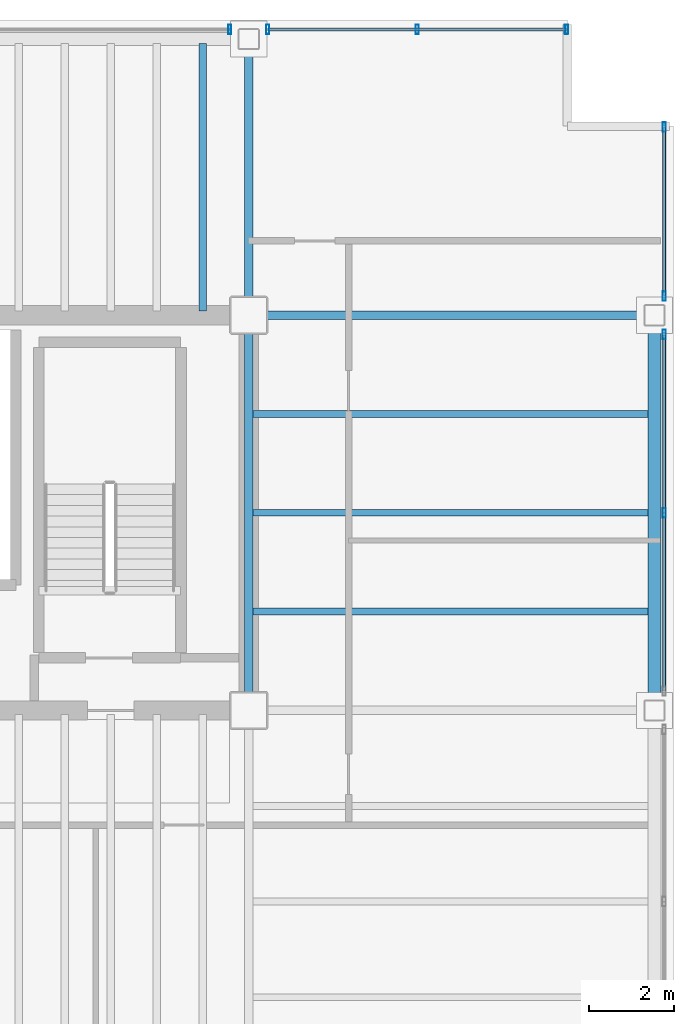
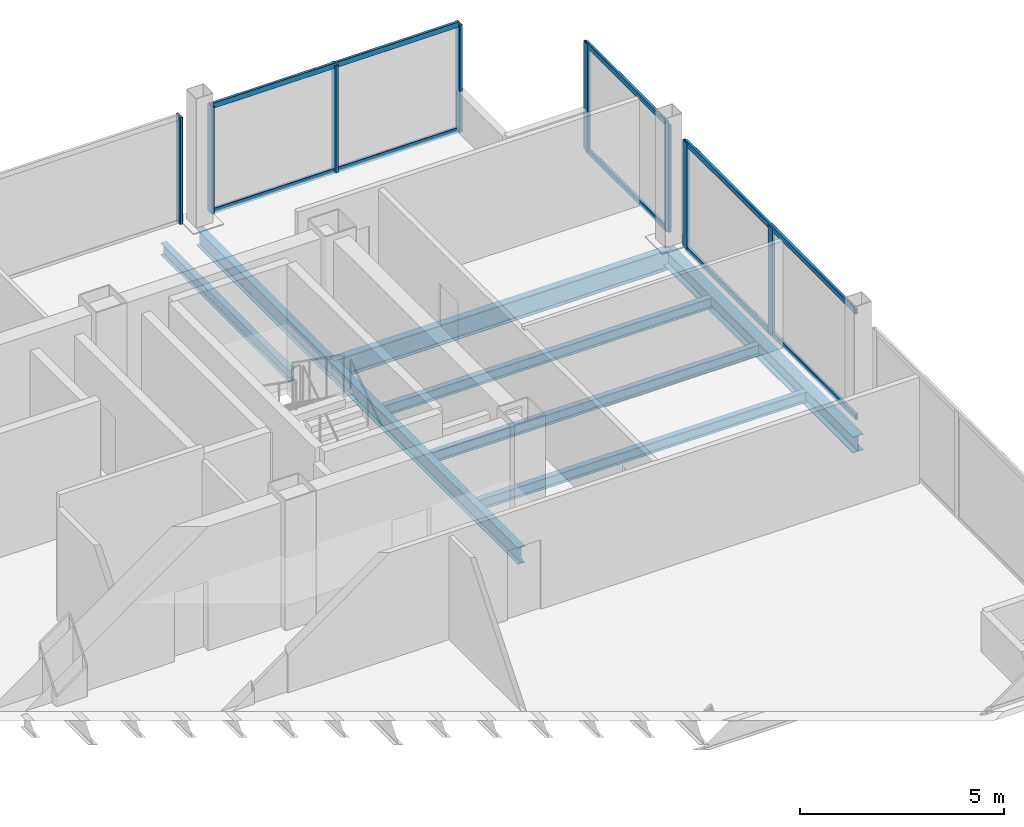
# One storey, part 11 of 16: 14 members, 8 beams, 4 elements without a shape of their own.
"""IFC4 building model written with IfcOpenShell, lengths in metres."""

from ifc_helpers import new_model, si_unit, direction, frame, origin, origin_2d, place, context, subcontext, project, spatial, hollow_rectangle, i_section, extrude, material, material_profile, profile_set, type_object, element, aggregate, save


model = new_model("IFC4")

# Units and contexts
model_context = context("Model", 3, precision=1e-05, world=origin(), true_north=direction((0.0, 1.0)))
body_context = subcontext(model_context, "Body", "Model", "MODEL_VIEW")
ifc_project = project(units=[si_unit("LENGTHUNIT", "METRE"), si_unit("AREAUNIT", "SQUARE_METRE"), si_unit("VOLUMEUNIT", "CUBIC_METRE"), si_unit("PLANEANGLEUNIT", "RADIAN"), si_unit("MASSUNIT", "GRAM", prefix="KILO")], contexts=[model_context])

# Site, building, storey
site_placement = place(None, origin())
site = spatial("IfcSite", under=ifc_project, at=site_placement, CompositionType="ELEMENT")
building_placement = place(site_placement, origin())
building = spatial("IfcBuilding", under=site, at=building_placement, Name="Noeulbin Bourse Tower", CompositionType="ELEMENT")
storey_placement = place(building_placement, frame((0.0, 0.0, 185.10009765625)))
storey = spatial("IfcBuildingStorey", under=building, at=storey_placement, Name="L46", CompositionType="ELEMENT", Elevation=185.10009765625)

# Beams
ifc_material_1 = material(Name="Steel S355", Category="steel")
ifc_material_profile_1 = material_profile(ifc_material_1, i_section(OverallWidth=0.199951171875, OverallDepth=0.5, WebThickness=0.010009765625, FlangeThickness=0.01611328125, FilletRadius=0.02001953125, at=origin_2d()), Name="H-500x200x10x16", Category="LoadBearing")
ifc_profile_set_1 = profile_set([ifc_material_profile_1], Name="Steel S355")
beam_type_1 = type_object("IfcBeamType", Name="BM-GRD-500", PredefinedType="USERDEFINED", material=ifc_profile_set_1)
beam_1_placement = place(storey_placement, frame((44.0, 29.0, -0.43017578125), z_axis=(0.0, 1.0, 0.0), x_axis=(-1.0, 0.0, 0.0)))
element("IfcBeam", 1, at=beam_1_placement, inside=storey, type_object=beam_type_1, Name="Tower Primary Girder NS L46-5.3", ObjectType="GIRDER", PredefinedType="USERDEFINED", context=body_context, shape_type="SweptSolid", body=[
    extrude(i_section(OverallWidth=0.199951171875, OverallDepth=0.5, WebThickness=0.010009765625, FlangeThickness=0.01611328125, FilletRadius=0.02001953125, at=origin_2d()), origin(), (0.0, 0.0, 1.0), 9.300048828125),
])
beam_2_placement = place(storey_placement, frame((44.0, 38.300048828125, -0.43017578125), z_axis=(0.0, 1.0, 0.0), x_axis=(-1.0, 0.0, 0.0)))
element("IfcBeam", 2, at=beam_2_placement, inside=storey, type_object=beam_type_1, Name="Tower Primary Girder NS L46-5.4", ObjectType="GIRDER", PredefinedType="USERDEFINED", context=body_context, shape_type="SweptSolid", body=[
    extrude(i_section(OverallWidth=0.199951171875, OverallDepth=0.5, WebThickness=0.010009765625, FlangeThickness=0.01611328125, FilletRadius=0.02001953125, at=origin_2d()), origin(), (0.0, 0.0, 1.0), 6.5),
])
ifc_material_profile_2 = material_profile(ifc_material_1, i_section(OverallWidth=0.199951171875, OverallDepth=0.60009765625, WebThickness=0.010986328125, FlangeThickness=0.01708984375, FilletRadius=0.02197265625, at=origin_2d()), Name="H-600x200x11x17", Category="LoadBearing")
ifc_profile_set_2 = profile_set([ifc_material_profile_2], Name="Steel S355")
beam_type_2 = type_object("IfcBeamType", Name="BM-GRD-600", PredefinedType="USERDEFINED", material=ifc_profile_set_2)
beam_3_placement = place(storey_placement, frame((44.0, 38.300048828125, -0.47998046875), z_axis=(1.0, 0.0, 0.0), x_axis=(0.0, 1.0, 0.0)))
element("IfcBeam", 3, at=beam_3_placement, inside=storey, type_object=beam_type_2, Name="Tower Primary Girder EW L46-3.6", ObjectType="GIRDER", PredefinedType="USERDEFINED", context=body_context, shape_type="SweptSolid", body=[
    extrude(i_section(OverallWidth=0.199951171875, OverallDepth=0.60009765625, WebThickness=0.010986328125, FlangeThickness=0.01708984375, FilletRadius=0.02197265625, at=origin_2d()), origin(), (0.0, 0.0, 1.0), 9.550048828125),
])
ifc_material_profile_3 = material_profile(ifc_material_1, i_section(OverallWidth=0.159912109375, OverallDepth=0.320068359375, WebThickness=0.006591796875, FlangeThickness=0.010009765625, FilletRadius=0.012939453125, at=origin_2d()), Name="H-320x160x6.5x10", Category="LoadBearing")
ifc_profile_set_3 = profile_set([ifc_material_profile_3], Name="Steel S355")
beam_type_3 = type_object("IfcBeamType", Name="BM-JST-320", PredefinedType="JOIST", material=ifc_profile_set_3)
for number, where, z_axis, x_axis, name in (
    (4, (44.10009765625, 31.324951171875, -0.340087890625), (1.0, 0.0, 0.0), (0.0, 1.0, 0.0), "Wing Composite Joist L46-E76"),
    (5, (44.10009765625, 33.64990234375, -0.340087890625), (1.0, 0.0, 0.0), (0.0, 1.0, 0.0), "Wing Composite Joist L46-E77"),
    (6, (44.10009765625, 35.97509765625, -0.340087890625), (1.0, 0.0, 0.0), (0.0, 1.0, 0.0), "Wing Composite Joist L46-E78"),
):
    element("IfcBeam", number, at=place(storey_placement, frame(where, z_axis=z_axis, x_axis=x_axis)), inside=storey, type_object=beam_type_3, Name=name, PredefinedType="JOIST", context=body_context, shape_type="SweptSolid", body=[
        extrude(i_section(OverallWidth=0.159912109375, OverallDepth=0.320068359375, WebThickness=0.006591796875, FlangeThickness=0.010009765625, FilletRadius=0.012939453125, at=origin_2d()), origin(), (0.0, 0.0, 1.0), 9.2998046875),
    ])
ifc_material_profile_4 = material_profile(ifc_material_1, i_section(OverallWidth=0.175048828125, OverallDepth=0.35009765625, WebThickness=0.007080078125, FlangeThickness=0.010986328125, FilletRadius=0.013916015625, at=origin_2d()), Name="H-350x175x7x11", Category="LoadBearing")
ifc_profile_set_4 = profile_set([ifc_material_profile_4], Name="Steel S355")
beam_type_4 = type_object("IfcBeamType", Name="BM-JST-350", PredefinedType="JOIST", material=ifc_profile_set_4)
beam_4_placement = place(storey_placement, frame((42.916748046875, 38.39990234375, -0.35498046875), z_axis=(0.0, 1.0, 0.0), x_axis=(-1.0, 0.0, 0.0)))
element("IfcBeam", 7, at=beam_4_placement, inside=storey, type_object=beam_type_4, Name="Tower Composite Joist L46-66", PredefinedType="JOIST", context=body_context, shape_type="SweptSolid", body=[
    extrude(i_section(OverallWidth=0.175048828125, OverallDepth=0.35009765625, WebThickness=0.007080078125, FlangeThickness=0.010986328125, FilletRadius=0.013916015625, at=origin_2d()), origin(), (0.0, 0.0, 1.0), 6.300048828125),
])
ifc_material_profile_5 = material_profile(ifc_material_1, i_section(OverallWidth=0.300048828125, OverallDepth=0.488037109375, WebThickness=0.010986328125, FlangeThickness=0.01806640625, FilletRadius=0.02197265625, at=origin_2d()), Name="H-488x300x11x18", Category="LoadBearing")
ifc_profile_set_5 = profile_set([ifc_material_profile_5], Name="Steel S355")
beam_type_5 = type_object("IfcBeamType", Name="BM-SPN-488", PredefinedType="SPANDREL", material=ifc_profile_set_5)
beam_5_placement = place(storey_placement, frame((53.550048828125, 29.0, -0.424072265625), z_axis=(0.0, 1.0, 0.0), x_axis=(-1.0, 0.0, 0.0)))
element("IfcBeam", 8, at=beam_5_placement, inside=storey, type_object=beam_type_5, Name="East Spandrel L46-2", PredefinedType="SPANDREL", context=body_context, shape_type="SweptSolid", body=[
    extrude(i_section(OverallWidth=0.300048828125, OverallDepth=0.488037109375, WebThickness=0.010986328125, FlangeThickness=0.01806640625, FilletRadius=0.02197265625, at=origin_2d()), origin(), (0.0, 0.0, 1.0), 9.300048828125),
])

# Curtain wall, member
ifc_material_2 = material(Name="Dark Tinted Triple Glazing", Category="glass")
curtain_wall_type = type_object("IfcCurtainWallType", Name="CW-SYS-3", PredefinedType="NOTDEFINED", material=ifc_material_2)
curtain_wall_1_placement = place(storey_placement, origin())
curtain_wall_1 = element("IfcCurtainWall", 9, at=curtain_wall_1_placement, inside=storey, type_object=curtain_wall_type, Name="Unitised Curtain Wall CW-L46-N-S4", PredefinedType="NOTDEFINED")
ifc_material_3 = material(Name="Anodised Aluminium 6063-T6", Category="aluminium")
ifc_material_profile_6 = material_profile(ifc_material_3, hollow_rectangle(XDim=0.074951171875, YDim=0.219970703125, WallThickness=0.0048828125, InnerFilletRadius=0.00244140625, OuterFilletRadius=0.0048828125, at=origin_2d()), Name="ALU-MULL-75x220x5", Category="LoadBearing")
ifc_profile_set_6 = profile_set([ifc_material_profile_6], Name="Anodised Aluminium 6063-T6")
member_type_1 = type_object("IfcMemberType", Name="CW-SYS-3-MUL", PredefinedType="MULLION", material=ifc_profile_set_6)
member_1_placement = place(storey_placement, frame((43.550048828125, 45.030029296875, -0.02001953125), z_axis=(0.0, 0.0, 1.0), x_axis=(1.0, 0.0, 0.0)))
member_1 = element("IfcMember", 10, at=member_1_placement, type_object=member_type_1, Name="Curtain Wall Mullion CW-L46-N-S4-M01", PredefinedType="MULLION", context=body_context, shape_type="SweptSolid", body=[
    extrude(hollow_rectangle(XDim=0.074951171875, YDim=0.219970703125, WallThickness=0.0048828125, InnerFilletRadius=0.00244140625, OuterFilletRadius=0.0048828125, at=origin_2d()), origin(), (0.0, 0.0, 1.0), 3.219970703125),
])
aggregate(curtain_wall_1, [member_1])

# Curtain wall, members
curtain_wall_2_placement = place(storey_placement, origin())
curtain_wall_2 = element("IfcCurtainWall", 11, at=curtain_wall_2_placement, inside=storey, type_object=curtain_wall_type, Name="Unitised Curtain Wall CW-L46-N-S5", PredefinedType="NOTDEFINED")
member_2_placement = place(storey_placement, frame((44.449951171875, 45.030029296875, -0.02001953125), z_axis=(0.0, 0.0, 1.0), x_axis=(1.0, 0.0, 0.0)))
member_2 = element("IfcMember", 12, at=member_2_placement, type_object=member_type_1, Name="Curtain Wall Mullion CW-L46-N-S5-M00", PredefinedType="MULLION", context=body_context, shape_type="SweptSolid", body=[
    extrude(hollow_rectangle(XDim=0.074951171875, YDim=0.219970703125, WallThickness=0.0048828125, InnerFilletRadius=0.00244140625, OuterFilletRadius=0.0048828125, at=origin_2d()), origin(), (0.0, 0.0, 1.0), 3.219970703125),
])
member_3_placement = place(storey_placement, frame((47.965087890625, 45.030029296875, -0.02001953125), z_axis=(0.0, 0.0, 1.0), x_axis=(1.0, 0.0, 0.0)))
member_3 = element("IfcMember", 13, at=member_3_placement, type_object=member_type_1, Name="Curtain Wall Mullion CW-L46-N-S5-M01", PredefinedType="MULLION", context=body_context, shape_type="SweptSolid", body=[
    extrude(hollow_rectangle(XDim=0.074951171875, YDim=0.219970703125, WallThickness=0.0048828125, InnerFilletRadius=0.00244140625, OuterFilletRadius=0.0048828125, at=origin_2d()), origin(), (0.0, 0.0, 1.0), 3.219970703125),
])
member_4_placement = place(storey_placement, frame((51.47998046875, 45.030029296875, -0.02001953125), z_axis=(0.0, 0.0, 1.0), x_axis=(1.0, 0.0, 0.0)))
member_4 = element("IfcMember", 14, at=member_4_placement, type_object=member_type_1, Name="Curtain Wall Mullion CW-L46-N-S5-M02", PredefinedType="MULLION", context=body_context, shape_type="SweptSolid", body=[
    extrude(hollow_rectangle(XDim=0.074951171875, YDim=0.219970703125, WallThickness=0.0048828125, InnerFilletRadius=0.00244140625, OuterFilletRadius=0.0048828125, at=origin_2d()), origin(), (0.0, 0.0, 1.0), 3.219970703125),
])

curtain_wall_3_placement = place(storey_placement, origin())
curtain_wall_3 = element("IfcCurtainWall", 15, at=curtain_wall_3_placement, inside=storey, type_object=curtain_wall_type, Name="Unitised Curtain Wall CW-L46-E-S2", PredefinedType="NOTDEFINED")
member_5_placement = place(storey_placement, frame((53.780029296875, 33.64990234375, -0.02001953125), z_axis=(0.0, 0.0, 1.0), x_axis=(1.0, 0.0, 0.0)))
member_5 = element("IfcMember", 16, at=member_5_placement, type_object=member_type_1, Name="Curtain Wall Mullion CW-L46-E-S2-M01", PredefinedType="MULLION", context=body_context, shape_type="SweptSolid", body=[
    extrude(hollow_rectangle(XDim=0.074951171875, YDim=0.219970703125, WallThickness=0.0048828125, InnerFilletRadius=0.00244140625, OuterFilletRadius=0.0048828125, at=origin_2d()), origin(), (0.0, 0.0, 1.0), 3.219970703125),
])
member_6_placement = place(storey_placement, frame((53.780029296875, 37.85009765625, -0.02001953125), z_axis=(0.0, 0.0, 1.0), x_axis=(1.0, 0.0, 0.0)))
member_6 = element("IfcMember", 17, at=member_6_placement, type_object=member_type_1, Name="Curtain Wall Mullion CW-L46-E-S2-M02", PredefinedType="MULLION", context=body_context, shape_type="SweptSolid", body=[
    extrude(hollow_rectangle(XDim=0.074951171875, YDim=0.219970703125, WallThickness=0.0048828125, InnerFilletRadius=0.00244140625, OuterFilletRadius=0.0048828125, at=origin_2d()), origin(), (0.0, 0.0, 1.0), 3.219970703125),
])

curtain_wall_4_placement = place(storey_placement, origin())
curtain_wall_4 = element("IfcCurtainWall", 18, at=curtain_wall_4_placement, inside=storey, type_object=curtain_wall_type, Name="Unitised Curtain Wall CW-L46-E-S3", PredefinedType="NOTDEFINED")
member_7_placement = place(storey_placement, frame((53.780029296875, 38.75, -0.02001953125), z_axis=(0.0, 0.0, 1.0), x_axis=(1.0, 0.0, 0.0)))
member_7 = element("IfcMember", 19, at=member_7_placement, type_object=member_type_1, Name="Curtain Wall Mullion CW-L46-E-S3-M00", PredefinedType="MULLION", context=body_context, shape_type="SweptSolid", body=[
    extrude(hollow_rectangle(XDim=0.074951171875, YDim=0.219970703125, WallThickness=0.0048828125, InnerFilletRadius=0.00244140625, OuterFilletRadius=0.0048828125, at=origin_2d()), origin(), (0.0, 0.0, 1.0), 3.219970703125),
])
member_8_placement = place(storey_placement, frame((53.780029296875, 42.72998046875, -0.02001953125), z_axis=(0.0, 0.0, 1.0), x_axis=(1.0, 0.0, 0.0)))
member_8 = element("IfcMember", 20, at=member_8_placement, type_object=member_type_1, Name="Curtain Wall Mullion CW-L46-E-S3-M01", PredefinedType="MULLION", context=body_context, shape_type="SweptSolid", body=[
    extrude(hollow_rectangle(XDim=0.074951171875, YDim=0.219970703125, WallThickness=0.0048828125, InnerFilletRadius=0.00244140625, OuterFilletRadius=0.0048828125, at=origin_2d()), origin(), (0.0, 0.0, 1.0), 3.219970703125),
])

# Member
ifc_material_profile_7 = material_profile(ifc_material_3, hollow_rectangle(XDim=0.074951171875, YDim=0.159912109375, WallThickness=0.0048828125, InnerFilletRadius=0.00244140625, OuterFilletRadius=0.0048828125, at=origin_2d()), Name="ALU-TRAN-75x160x5", Category="LoadBearing")
ifc_profile_set_7 = profile_set([ifc_material_profile_7], Name="Anodised Aluminium 6063-T6")
member_type_2 = type_object("IfcMemberType", Name="CW-SYS-3-TRN", PredefinedType="USERDEFINED", material=ifc_profile_set_7)
member_9_placement = place(storey_placement, frame((44.4599609375, 45.030029296875, 0.010009765625), z_axis=(1.0, 0.0, 0.0), x_axis=(0.0, 1.0, 0.0)))
member_9 = element("IfcMember", 21, at=member_9_placement, type_object=member_type_2, Name="Curtain Wall Transom CW-L46-N-S5-T00", ObjectType="TRANSOM", PredefinedType="USERDEFINED", context=body_context, shape_type="SweptSolid", body=[
    extrude(hollow_rectangle(XDim=0.074951171875, YDim=0.159912109375, WallThickness=0.0048828125, InnerFilletRadius=0.00244140625, OuterFilletRadius=0.0048828125, at=origin_2d()), origin(), (0.0, 0.0, 1.0), 7.010009765625),
])

member_10_placement = place(storey_placement, frame((44.4599609375, 45.030029296875, 3.169921875), z_axis=(1.0, 0.0, 0.0), x_axis=(0.0, 1.0, 0.0)))
member_10 = element("IfcMember", 22, at=member_10_placement, type_object=member_type_2, Name="Curtain Wall Transom CW-L46-N-S5-T01", ObjectType="TRANSOM", PredefinedType="USERDEFINED", context=body_context, shape_type="SweptSolid", body=[
    extrude(hollow_rectangle(XDim=0.074951171875, YDim=0.159912109375, WallThickness=0.0048828125, InnerFilletRadius=0.00244140625, OuterFilletRadius=0.0048828125, at=origin_2d()), origin(), (0.0, 0.0, 1.0), 7.010009765625),
])

aggregate(curtain_wall_2, [member_2, member_3, member_4, member_9, member_10])

member_11_placement = place(storey_placement, frame((53.780029296875, 29.4599609375, 0.010009765625), z_axis=(0.0, 1.0, 0.0), x_axis=(-1.0, 0.0, 0.0)))
member_11 = element("IfcMember", 23, at=member_11_placement, type_object=member_type_2, Name="Curtain Wall Transom CW-L46-E-S2-T00", ObjectType="TRANSOM", PredefinedType="USERDEFINED", context=body_context, shape_type="SweptSolid", body=[
    extrude(hollow_rectangle(XDim=0.074951171875, YDim=0.159912109375, WallThickness=0.0048828125, InnerFilletRadius=0.00244140625, OuterFilletRadius=0.0048828125, at=origin_2d()), origin(), (0.0, 0.0, 1.0), 8.380126953125),
])

member_12_placement = place(storey_placement, frame((53.780029296875, 29.4599609375, 3.169921875), z_axis=(0.0, 1.0, 0.0), x_axis=(-1.0, 0.0, 0.0)))
member_12 = element("IfcMember", 24, at=member_12_placement, type_object=member_type_2, Name="Curtain Wall Transom CW-L46-E-S2-T01", ObjectType="TRANSOM", PredefinedType="USERDEFINED", context=body_context, shape_type="SweptSolid", body=[
    extrude(hollow_rectangle(XDim=0.074951171875, YDim=0.159912109375, WallThickness=0.0048828125, InnerFilletRadius=0.00244140625, OuterFilletRadius=0.0048828125, at=origin_2d()), origin(), (0.0, 0.0, 1.0), 8.380126953125),
])

aggregate(curtain_wall_3, [member_5, member_6, member_11, member_12])

member_13_placement = place(storey_placement, frame((53.780029296875, 38.760009765625, 0.010009765625), z_axis=(0.0, 1.0, 0.0), x_axis=(-1.0, 0.0, 0.0)))
member_13 = element("IfcMember", 25, at=member_13_placement, type_object=member_type_2, Name="Curtain Wall Transom CW-L46-E-S3-T00", ObjectType="TRANSOM", PredefinedType="USERDEFINED", context=body_context, shape_type="SweptSolid", body=[
    extrude(hollow_rectangle(XDim=0.074951171875, YDim=0.159912109375, WallThickness=0.0048828125, InnerFilletRadius=0.00244140625, OuterFilletRadius=0.0048828125, at=origin_2d()), origin(), (0.0, 0.0, 1.0), 3.9599609375),
])

member_14_placement = place(storey_placement, frame((53.780029296875, 38.760009765625, 3.169921875), z_axis=(0.0, 1.0, 0.0), x_axis=(-1.0, 0.0, 0.0)))
member_14 = element("IfcMember", 26, at=member_14_placement, type_object=member_type_2, Name="Curtain Wall Transom CW-L46-E-S3-T01", ObjectType="TRANSOM", PredefinedType="USERDEFINED", context=body_context, shape_type="SweptSolid", body=[
    extrude(hollow_rectangle(XDim=0.074951171875, YDim=0.159912109375, WallThickness=0.0048828125, InnerFilletRadius=0.00244140625, OuterFilletRadius=0.0048828125, at=origin_2d()), origin(), (0.0, 0.0, 1.0), 3.9599609375),
])

aggregate(curtain_wall_4, [member_7, member_8, member_13, member_14])

save(model, "model.ifc")
